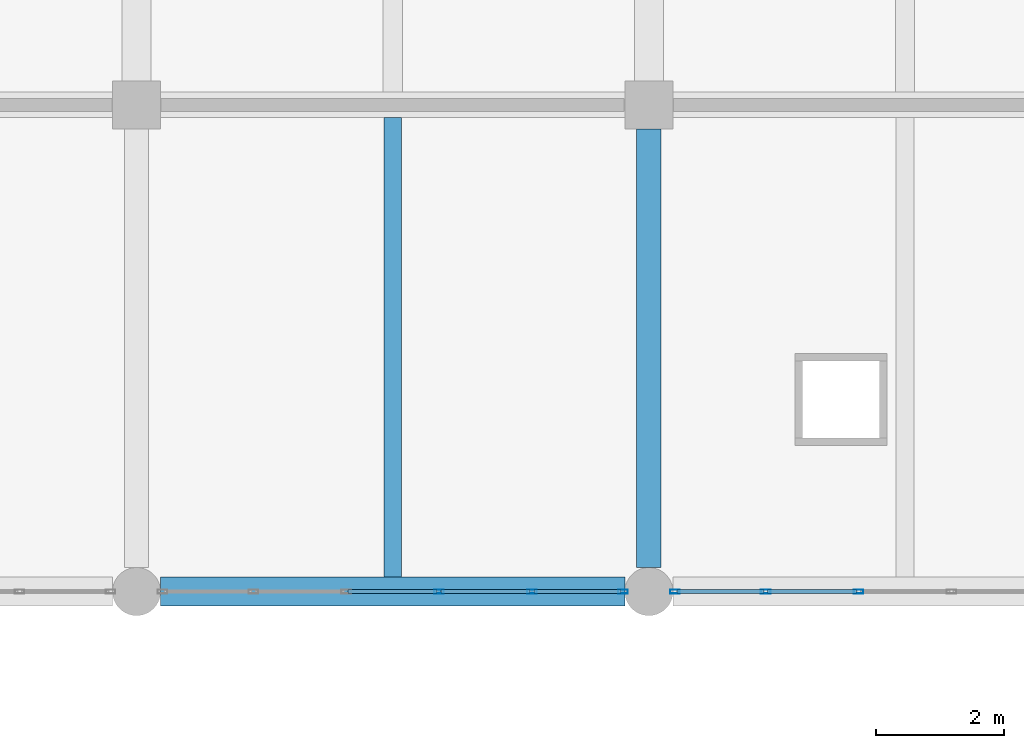
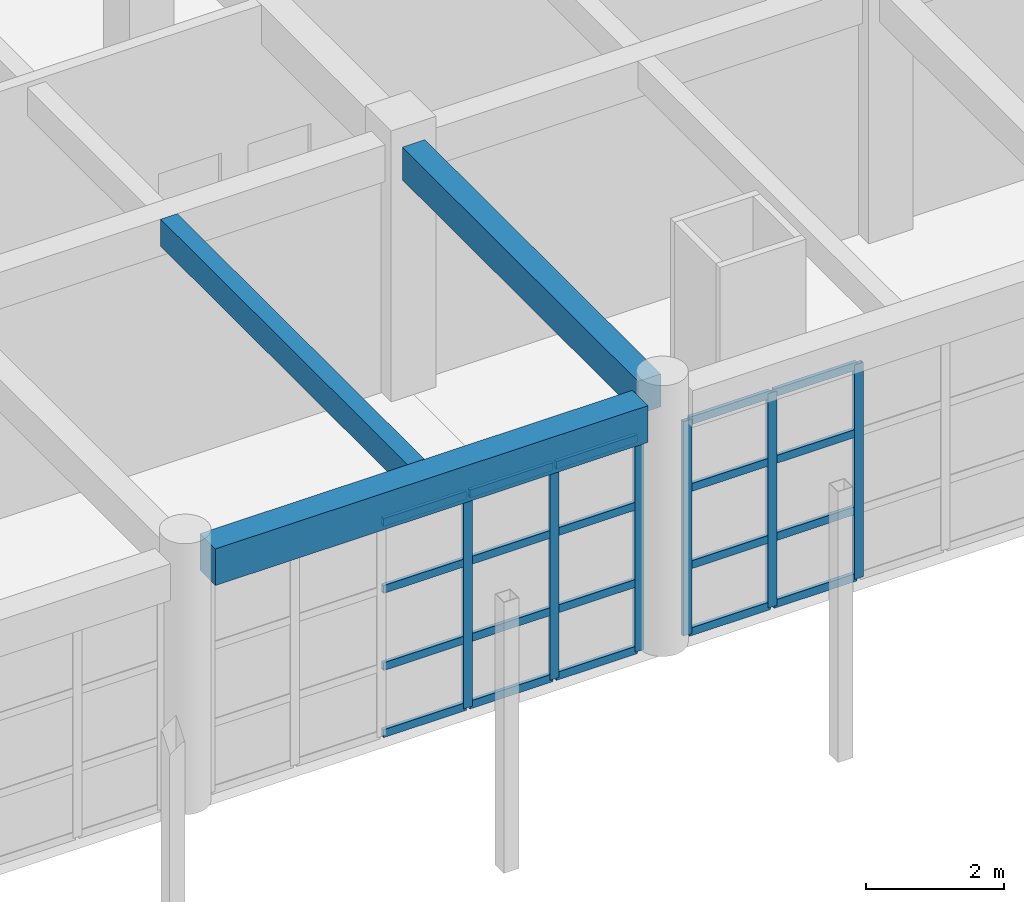
# One storey, part 56 of 101: 26 members, 3 beams, 2 elements without a shape of their own.
"""IFC4 building model written with IfcOpenShell, lengths in metres."""

from ifc_helpers import new_model, si_unit, direction, frame, origin, origin_2d, place, context, subcontext, project, spatial, rectangle, hollow_rectangle, extrude, material, material_profile, profile_set, type_object, element, aggregate, save


model = new_model("IFC4")

# Units and contexts
model_context = context("Model", 3, precision=1e-05, world=origin(), true_north=direction((0.0, 1.0)))
body_context = subcontext(model_context, "Body", "Model", "MODEL_VIEW")
ifc_project = project(units=[si_unit("LENGTHUNIT", "METRE"), si_unit("AREAUNIT", "SQUARE_METRE"), si_unit("VOLUMEUNIT", "CUBIC_METRE"), si_unit("PLANEANGLEUNIT", "RADIAN"), si_unit("MASSUNIT", "GRAM", prefix="KILO")], contexts=[model_context])

# Site, building, storey
site_placement = place(None, origin())
site = spatial("IfcSite", under=ifc_project, at=site_placement, CompositionType="ELEMENT")
building_placement = place(site_placement, origin())
building = spatial("IfcBuilding", under=site, at=building_placement, Name="Zantavel Square City Hall", CompositionType="ELEMENT")
storey_placement = place(building_placement, frame((0.0, 0.0, 5.39990234375)))
storey = spatial("IfcBuildingStorey", under=building, at=storey_placement, Name="L02", CompositionType="ELEMENT", Elevation=5.39990234375)

# Beam
ifc_material_1 = material(Name="Concrete C35/45", Category="concrete")
ifc_material_profile_1 = material_profile(ifc_material_1, rectangle(XDim=0.3798828125, YDim=0.580078125, at=origin_2d()), Name="RC 380x580")
ifc_profile_set_1 = profile_set([ifc_material_profile_1], Name="Concrete C35/45")
beam_type_1 = type_object("IfcBeamType", Name="Annex Secondary Beam RC 380x580 C35/45", PredefinedType="BEAM", material=ifc_profile_set_1)
beam_1_placement = place(storey_placement, frame((136.0, 68.77490234375, 4.16015625), z_axis=(0.0, 1.0, 0.0), x_axis=(-1.0, 0.0, 0.0)))
element("IfcBeam", 1, at=beam_1_placement, inside=storey, type_object=beam_type_1, Name="L02 Beam BMY-L02-1360-0684", PredefinedType="BEAM", context=body_context, shape_type="SweptSolid", body=[
    extrude(rectangle(XDim=0.3798828125, YDim=0.580078125, at=origin_2d()), origin(), (0.0, 0.0, 1.0), 6.85009765625),
])

# Curtain wall, members
ifc_material_2 = material(Name="Anodised aluminium 6063-T6", Category="aluminium")
curtain_wall_type = type_object("IfcCurtainWallType", Name="Curtain Wall CRT 7250x3800", PredefinedType="USERDEFINED", material=ifc_material_2)
curtain_wall_1_placement = place(storey_placement, origin())
curtain_wall_1 = element("IfcCurtainWall", 2, at=curtain_wall_1_placement, inside=storey, type_object=curtain_wall_type, Name="L02 Glazed Curtain Wall CW-L02-060", ObjectType="GLAZED CURTAIN WALL", PredefinedType="USERDEFINED")
ifc_material_profile_2 = material_profile(ifc_material_2, hollow_rectangle(XDim=0.06494140625, YDim=0.14990234375, WallThickness=0.00390625, at=origin_2d()), Name="ALU 65x150x4")
ifc_profile_set_2 = profile_set([ifc_material_profile_2], Name="Anodised aluminium 6063-T6")
member_type_1 = type_object("IfcMemberType", Name="CW Mullion ALU 65x150x4", PredefinedType="MULLION", material=ifc_profile_set_2)
member_1_placement = place(storey_placement, frame((139.27490234375, 68.39990234375, 0.0), z_axis=(0.0, 0.0, 1.0), x_axis=(0.0, -1.0, 0.0)))
member_1 = element("IfcMember", 3, at=member_1_placement, type_object=member_type_1, Name="CW-060 mullion 4", PredefinedType="MULLION", context=body_context, shape_type="SweptSolid", body=[
    extrude(hollow_rectangle(XDim=0.06494140625, YDim=0.14990234375, WallThickness=0.00390625, at=origin_2d()), origin(), (0.0, 0.0, 1.0), 3.800048828125),
])
member_2_placement = place(storey_placement, frame((137.824951171875, 68.39990234375, 0.0), z_axis=(0.0, 0.0, 1.0), x_axis=(0.0, -1.0, 0.0)))
member_2 = element("IfcMember", 4, at=member_2_placement, type_object=member_type_1, Name="CW-060 mullion 5", PredefinedType="MULLION", context=body_context, shape_type="SweptSolid", body=[
    extrude(hollow_rectangle(XDim=0.06494140625, YDim=0.14990234375, WallThickness=0.00390625, at=origin_2d()), origin(), (0.0, 0.0, 1.0), 3.800048828125),
])
member_3_placement = place(storey_placement, frame((136.405029296875, 68.39990234375, 0.0), z_axis=(0.0, 0.0, 1.0), x_axis=(0.0, -1.0, 0.0)))
member_3 = element("IfcMember", 5, at=member_3_placement, type_object=member_type_1, Name="CW-060 mullion 6", PredefinedType="MULLION", context=body_context, shape_type="SweptSolid", body=[
    extrude(hollow_rectangle(XDim=0.06494140625, YDim=0.14990234375, WallThickness=0.00390625, at=origin_2d()), origin(), (0.0, 0.0, 1.0), 3.800048828125),
])

curtain_wall_2_placement = place(storey_placement, origin())
curtain_wall_2 = element("IfcCurtainWall", 6, at=curtain_wall_2_placement, inside=storey, type_object=curtain_wall_type, Name="L02 Glazed Curtain Wall CW-L02-061", ObjectType="GLAZED CURTAIN WALL", PredefinedType="USERDEFINED")
member_4_placement = place(storey_placement, frame((135.594970703125, 68.39990234375, 0.0), z_axis=(0.0, 0.0, 1.0), x_axis=(0.0, -1.0, 0.0)))
member_4 = element("IfcMember", 7, at=member_4_placement, type_object=member_type_1, Name="CW-061 mullion 1", PredefinedType="MULLION", context=body_context, shape_type="SweptSolid", body=[
    extrude(hollow_rectangle(XDim=0.06494140625, YDim=0.14990234375, WallThickness=0.00390625, at=origin_2d()), origin(), (0.0, 0.0, 1.0), 3.800048828125),
])
member_5_placement = place(storey_placement, frame((134.175048828125, 68.39990234375, 0.0), z_axis=(0.0, 0.0, 1.0), x_axis=(0.0, -1.0, 0.0)))
member_5 = element("IfcMember", 8, at=member_5_placement, type_object=member_type_1, Name="CW-061 mullion 2", PredefinedType="MULLION", context=body_context, shape_type="SweptSolid", body=[
    extrude(hollow_rectangle(XDim=0.06494140625, YDim=0.14990234375, WallThickness=0.00390625, at=origin_2d()), origin(), (0.0, 0.0, 1.0), 3.800048828125),
])
member_6_placement = place(storey_placement, frame((132.72509765625, 68.39990234375, 0.0), z_axis=(0.0, 0.0, 1.0), x_axis=(0.0, -1.0, 0.0)))
member_6 = element("IfcMember", 9, at=member_6_placement, type_object=member_type_1, Name="CW-061 mullion 3", PredefinedType="MULLION", context=body_context, shape_type="SweptSolid", body=[
    extrude(hollow_rectangle(XDim=0.06494140625, YDim=0.14990234375, WallThickness=0.00390625, at=origin_2d()), origin(), (0.0, 0.0, 1.0), 3.800048828125),
])

# Member
ifc_material_profile_3 = material_profile(ifc_material_2, hollow_rectangle(XDim=0.06005859375, YDim=0.139892578125, WallThickness=0.00390625, at=origin_2d()), Name="ALU 60x140x4")
ifc_profile_set_3 = profile_set([ifc_material_profile_3], Name="Anodised aluminium 6063-T6")
member_type_2 = type_object("IfcMemberType", Name="CW Transom ALU 60x140x4", PredefinedType="USERDEFINED", material=ifc_profile_set_3)
member_7_placement = place(storey_placement, frame((139.2451171875, 68.39990234375, 0.030029296875), z_axis=(-1.0, 0.0, 0.0), x_axis=(0.0, -1.0, 0.0)))
member_7 = element("IfcMember", 10, at=member_7_placement, type_object=member_type_2, Name="CW-060 transom 4.1", ObjectType="TRANSOM", PredefinedType="USERDEFINED", context=body_context, shape_type="SweptSolid", body=[
    extrude(hollow_rectangle(XDim=0.06005859375, YDim=0.139892578125, WallThickness=0.00390625, at=origin_2d()), origin(), (0.0, 0.0, 1.0), 1.39013671875),
])

member_8_placement = place(storey_placement, frame((139.2451171875, 68.39990234375, 1.216064453125), z_axis=(-1.0, 0.0, 0.0), x_axis=(0.0, -1.0, 0.0)))
member_8 = element("IfcMember", 11, at=member_8_placement, type_object=member_type_2, Name="CW-060 transom 4.2", ObjectType="TRANSOM", PredefinedType="USERDEFINED", context=body_context, shape_type="SweptSolid", body=[
    extrude(hollow_rectangle(XDim=0.06005859375, YDim=0.139892578125, WallThickness=0.00390625, at=origin_2d()), origin(), (0.0, 0.0, 1.0), 1.39013671875),
])

member_9_placement = place(storey_placement, frame((139.2451171875, 68.39990234375, 2.583984375), z_axis=(-1.0, 0.0, 0.0), x_axis=(0.0, -1.0, 0.0)))
member_9 = element("IfcMember", 12, at=member_9_placement, type_object=member_type_2, Name="CW-060 transom 4.3", ObjectType="TRANSOM", PredefinedType="USERDEFINED", context=body_context, shape_type="SweptSolid", body=[
    extrude(hollow_rectangle(XDim=0.06005859375, YDim=0.139892578125, WallThickness=0.00390625, at=origin_2d()), origin(), (0.0, 0.0, 1.0), 1.39013671875),
])

member_10_placement = place(storey_placement, frame((139.2451171875, 68.39990234375, 3.77001953125), z_axis=(-1.0, 0.0, 0.0), x_axis=(0.0, -1.0, 0.0)))
member_10 = element("IfcMember", 13, at=member_10_placement, type_object=member_type_2, Name="CW-060 transom 4.4", ObjectType="TRANSOM", PredefinedType="USERDEFINED", context=body_context, shape_type="SweptSolid", body=[
    extrude(hollow_rectangle(XDim=0.06005859375, YDim=0.139892578125, WallThickness=0.00390625, at=origin_2d()), origin(), (0.0, 0.0, 1.0), 1.39013671875),
])

member_11_placement = place(storey_placement, frame((137.794921875, 68.39990234375, 0.030029296875), z_axis=(-1.0, 0.0, 0.0), x_axis=(0.0, -1.0, 0.0)))
member_11 = element("IfcMember", 14, at=member_11_placement, type_object=member_type_2, Name="CW-060 transom 5.1", ObjectType="TRANSOM", PredefinedType="USERDEFINED", context=body_context, shape_type="SweptSolid", body=[
    extrude(hollow_rectangle(XDim=0.06005859375, YDim=0.139892578125, WallThickness=0.00390625, at=origin_2d()), origin(), (0.0, 0.0, 1.0), 1.35986328125),
])

member_12_placement = place(storey_placement, frame((137.794921875, 68.39990234375, 1.216064453125), z_axis=(-1.0, 0.0, 0.0), x_axis=(0.0, -1.0, 0.0)))
member_12 = element("IfcMember", 15, at=member_12_placement, type_object=member_type_2, Name="CW-060 transom 5.2", ObjectType="TRANSOM", PredefinedType="USERDEFINED", context=body_context, shape_type="SweptSolid", body=[
    extrude(hollow_rectangle(XDim=0.06005859375, YDim=0.139892578125, WallThickness=0.00390625, at=origin_2d()), origin(), (0.0, 0.0, 1.0), 1.35986328125),
])

member_13_placement = place(storey_placement, frame((137.794921875, 68.39990234375, 2.583984375), z_axis=(-1.0, 0.0, 0.0), x_axis=(0.0, -1.0, 0.0)))
member_13 = element("IfcMember", 16, at=member_13_placement, type_object=member_type_2, Name="CW-060 transom 5.3", ObjectType="TRANSOM", PredefinedType="USERDEFINED", context=body_context, shape_type="SweptSolid", body=[
    extrude(hollow_rectangle(XDim=0.06005859375, YDim=0.139892578125, WallThickness=0.00390625, at=origin_2d()), origin(), (0.0, 0.0, 1.0), 1.35986328125),
])

member_14_placement = place(storey_placement, frame((137.794921875, 68.39990234375, 3.77001953125), z_axis=(-1.0, 0.0, 0.0), x_axis=(0.0, -1.0, 0.0)))
member_14 = element("IfcMember", 17, at=member_14_placement, type_object=member_type_2, Name="CW-060 transom 5.4", ObjectType="TRANSOM", PredefinedType="USERDEFINED", context=body_context, shape_type="SweptSolid", body=[
    extrude(hollow_rectangle(XDim=0.06005859375, YDim=0.139892578125, WallThickness=0.00390625, at=origin_2d()), origin(), (0.0, 0.0, 1.0), 1.35986328125),
])

aggregate(curtain_wall_1, [member_1, member_2, member_3, member_7, member_8, member_9, member_10, member_11, member_12, member_13, member_14])

member_15_placement = place(storey_placement, frame((135.56494140625, 68.39990234375, 0.030029296875), z_axis=(-1.0, 0.0, 0.0), x_axis=(0.0, -1.0, 0.0)))
member_15 = element("IfcMember", 18, at=member_15_placement, type_object=member_type_2, Name="CW-061 transom 1.1", ObjectType="TRANSOM", PredefinedType="USERDEFINED", context=body_context, shape_type="SweptSolid", body=[
    extrude(hollow_rectangle(XDim=0.06005859375, YDim=0.139892578125, WallThickness=0.00390625, at=origin_2d()), origin(), (0.0, 0.0, 1.0), 1.35986328125),
])

member_16_placement = place(storey_placement, frame((135.56494140625, 68.39990234375, 1.216064453125), z_axis=(-1.0, 0.0, 0.0), x_axis=(0.0, -1.0, 0.0)))
member_16 = element("IfcMember", 19, at=member_16_placement, type_object=member_type_2, Name="CW-061 transom 1.2", ObjectType="TRANSOM", PredefinedType="USERDEFINED", context=body_context, shape_type="SweptSolid", body=[
    extrude(hollow_rectangle(XDim=0.06005859375, YDim=0.139892578125, WallThickness=0.00390625, at=origin_2d()), origin(), (0.0, 0.0, 1.0), 1.35986328125),
])

member_17_placement = place(storey_placement, frame((135.56494140625, 68.39990234375, 2.583984375), z_axis=(-1.0, 0.0, 0.0), x_axis=(0.0, -1.0, 0.0)))
member_17 = element("IfcMember", 20, at=member_17_placement, type_object=member_type_2, Name="CW-061 transom 1.3", ObjectType="TRANSOM", PredefinedType="USERDEFINED", context=body_context, shape_type="SweptSolid", body=[
    extrude(hollow_rectangle(XDim=0.06005859375, YDim=0.139892578125, WallThickness=0.00390625, at=origin_2d()), origin(), (0.0, 0.0, 1.0), 1.35986328125),
])

member_18_placement = place(storey_placement, frame((135.56494140625, 68.39990234375, 3.77001953125), z_axis=(-1.0, 0.0, 0.0), x_axis=(0.0, -1.0, 0.0)))
member_18 = element("IfcMember", 21, at=member_18_placement, type_object=member_type_2, Name="CW-061 transom 1.4", ObjectType="TRANSOM", PredefinedType="USERDEFINED", context=body_context, shape_type="SweptSolid", body=[
    extrude(hollow_rectangle(XDim=0.06005859375, YDim=0.139892578125, WallThickness=0.00390625, at=origin_2d()), origin(), (0.0, 0.0, 1.0), 1.35986328125),
])

member_19_placement = place(storey_placement, frame((134.14501953125, 68.39990234375, 0.030029296875), z_axis=(-1.0, 0.0, 0.0), x_axis=(0.0, -1.0, 0.0)))
member_19 = element("IfcMember", 22, at=member_19_placement, type_object=member_type_2, Name="CW-061 transom 2.1", ObjectType="TRANSOM", PredefinedType="USERDEFINED", context=body_context, shape_type="SweptSolid", body=[
    extrude(hollow_rectangle(XDim=0.06005859375, YDim=0.139892578125, WallThickness=0.00390625, at=origin_2d()), origin(), (0.0, 0.0, 1.0), 1.39013671875),
])

member_20_placement = place(storey_placement, frame((134.14501953125, 68.39990234375, 1.216064453125), z_axis=(-1.0, 0.0, 0.0), x_axis=(0.0, -1.0, 0.0)))
member_20 = element("IfcMember", 23, at=member_20_placement, type_object=member_type_2, Name="CW-061 transom 2.2", ObjectType="TRANSOM", PredefinedType="USERDEFINED", context=body_context, shape_type="SweptSolid", body=[
    extrude(hollow_rectangle(XDim=0.06005859375, YDim=0.139892578125, WallThickness=0.00390625, at=origin_2d()), origin(), (0.0, 0.0, 1.0), 1.39013671875),
])

member_21_placement = place(storey_placement, frame((134.14501953125, 68.39990234375, 2.583984375), z_axis=(-1.0, 0.0, 0.0), x_axis=(0.0, -1.0, 0.0)))
member_21 = element("IfcMember", 24, at=member_21_placement, type_object=member_type_2, Name="CW-061 transom 2.3", ObjectType="TRANSOM", PredefinedType="USERDEFINED", context=body_context, shape_type="SweptSolid", body=[
    extrude(hollow_rectangle(XDim=0.06005859375, YDim=0.139892578125, WallThickness=0.00390625, at=origin_2d()), origin(), (0.0, 0.0, 1.0), 1.39013671875),
])

member_22_placement = place(storey_placement, frame((134.14501953125, 68.39990234375, 3.77001953125), z_axis=(-1.0, 0.0, 0.0), x_axis=(0.0, -1.0, 0.0)))
member_22 = element("IfcMember", 25, at=member_22_placement, type_object=member_type_2, Name="CW-061 transom 2.4", ObjectType="TRANSOM", PredefinedType="USERDEFINED", context=body_context, shape_type="SweptSolid", body=[
    extrude(hollow_rectangle(XDim=0.06005859375, YDim=0.139892578125, WallThickness=0.00390625, at=origin_2d()), origin(), (0.0, 0.0, 1.0), 1.39013671875),
])

member_23_placement = place(storey_placement, frame((132.695068359375, 68.39990234375, 0.030029296875), z_axis=(-1.0, 0.0, 0.0), x_axis=(0.0, -1.0, 0.0)))
member_23 = element("IfcMember", 26, at=member_23_placement, type_object=member_type_2, Name="CW-061 transom 3.1", ObjectType="TRANSOM", PredefinedType="USERDEFINED", context=body_context, shape_type="SweptSolid", body=[
    extrude(hollow_rectangle(XDim=0.06005859375, YDim=0.139892578125, WallThickness=0.00390625, at=origin_2d()), origin(), (0.0, 0.0, 1.0), 1.39013671875),
])

member_24_placement = place(storey_placement, frame((132.695068359375, 68.39990234375, 1.216064453125), z_axis=(-1.0, 0.0, 0.0), x_axis=(0.0, -1.0, 0.0)))
member_24 = element("IfcMember", 27, at=member_24_placement, type_object=member_type_2, Name="CW-061 transom 3.2", ObjectType="TRANSOM", PredefinedType="USERDEFINED", context=body_context, shape_type="SweptSolid", body=[
    extrude(hollow_rectangle(XDim=0.06005859375, YDim=0.139892578125, WallThickness=0.00390625, at=origin_2d()), origin(), (0.0, 0.0, 1.0), 1.39013671875),
])

member_25_placement = place(storey_placement, frame((132.695068359375, 68.39990234375, 2.583984375), z_axis=(-1.0, 0.0, 0.0), x_axis=(0.0, -1.0, 0.0)))
member_25 = element("IfcMember", 28, at=member_25_placement, type_object=member_type_2, Name="CW-061 transom 3.3", ObjectType="TRANSOM", PredefinedType="USERDEFINED", context=body_context, shape_type="SweptSolid", body=[
    extrude(hollow_rectangle(XDim=0.06005859375, YDim=0.139892578125, WallThickness=0.00390625, at=origin_2d()), origin(), (0.0, 0.0, 1.0), 1.39013671875),
])

member_26_placement = place(storey_placement, frame((132.695068359375, 68.39990234375, 3.77001953125), z_axis=(-1.0, 0.0, 0.0), x_axis=(0.0, -1.0, 0.0)))
member_26 = element("IfcMember", 29, at=member_26_placement, type_object=member_type_2, Name="CW-061 transom 3.4", ObjectType="TRANSOM", PredefinedType="USERDEFINED", context=body_context, shape_type="SweptSolid", body=[
    extrude(hollow_rectangle(XDim=0.06005859375, YDim=0.139892578125, WallThickness=0.00390625, at=origin_2d()), origin(), (0.0, 0.0, 1.0), 1.39013671875),
])

aggregate(curtain_wall_2, [member_4, member_5, member_6, member_15, member_16, member_17, member_18, member_19, member_20, member_21, member_22, member_23, member_24, member_25, member_26])

# Beams
ifc_material_profile_4 = material_profile(ifc_material_1, rectangle(XDim=0.449951171875, YDim=0.64990234375, at=origin_2d()), Name="RC 450x650")
ifc_profile_set_4 = profile_set([ifc_material_profile_4], Name="Concrete C35/45")
beam_type_2 = type_object("IfcBeamType", Name="Courtyard Cloister Girder RC 450x650 C35/45", PredefinedType="BEAM", material=ifc_profile_set_4)
beam_2_placement = place(storey_placement, frame((128.375, 68.39990234375, 4.125), z_axis=(1.0, 0.0, 0.0), x_axis=(0.0, 1.0, 0.0)))
element("IfcBeam", 30, at=beam_2_placement, inside=storey, type_object=beam_type_2, Name="L02 Girder BMX-L02-1280-0684", PredefinedType="BEAM", context=body_context, shape_type="SweptSolid", body=[
    extrude(rectangle(XDim=0.449951171875, YDim=0.64990234375, at=origin_2d()), origin(), (0.0, 0.0, 1.0), 7.25),
])
ifc_material_profile_5 = material_profile(ifc_material_1, rectangle(XDim=0.280029296875, YDim=0.47998046875, at=origin_2d()), Name="RC 280x480")
ifc_profile_set_5 = profile_set([ifc_material_profile_5], Name="Concrete C35/45")
beam_type_3 = type_object("IfcBeamType", Name="Terrace Deck Joist RC 280x480 C35/45", PredefinedType="JOIST", material=ifc_profile_set_5)
beam_3_placement = place(storey_placement, frame((132.0, 68.625, 4.210205078125), z_axis=(0.0, 1.0, 0.0), x_axis=(-1.0, 0.0, 0.0)))
element("IfcBeam", 31, at=beam_3_placement, inside=storey, type_object=beam_type_3, Name="L02 Floor Joist JST-L02-1320-0684", PredefinedType="JOIST", context=body_context, shape_type="SweptSolid", body=[
    extrude(rectangle(XDim=0.280029296875, YDim=0.47998046875, at=origin_2d()), origin(), (0.0, 0.0, 1.0), 7.175048828125),
])

save(model, "model.ifc")
